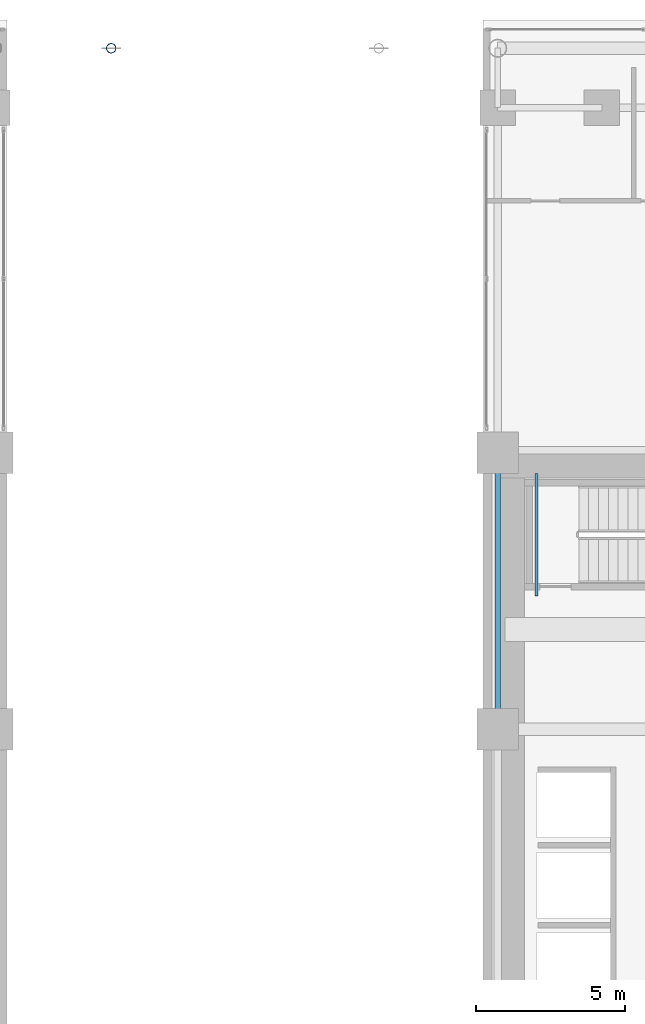
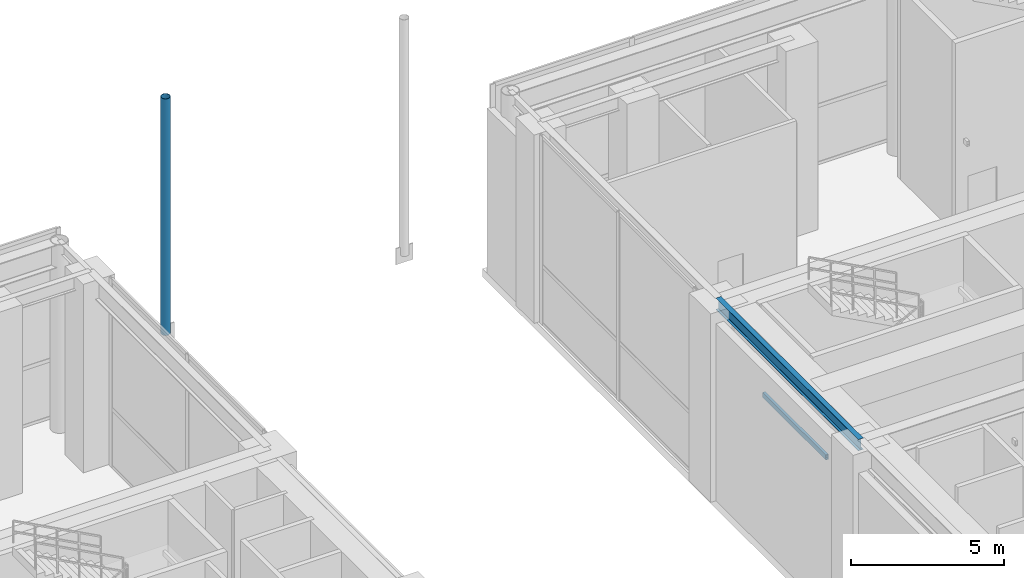
# One storey, part 14 of 29: 2 beams, 1 member.
"""IFC4 building model written with IfcOpenShell, lengths in metres."""

from ifc_helpers import new_model, si_unit, direction, frame, origin, origin_2d, place, context, subcontext, project, spatial, hollow_rectangle, hollow_circle, i_section, extrude, source, transform, mapped, material, material_profile, profile_set, type_object, element, save


model = new_model("IFC4")

# Units and contexts
model_context = context("Model", 3, precision=1e-05, world=origin(), true_north=direction((0.0, 1.0)))
body_context = subcontext(model_context, "Body", "Model", "MODEL_VIEW")
ifc_project = project(units=[si_unit("LENGTHUNIT", "METRE"), si_unit("AREAUNIT", "SQUARE_METRE"), si_unit("VOLUMEUNIT", "CUBIC_METRE"), si_unit("PLANEANGLEUNIT", "RADIAN"), si_unit("MASSUNIT", "GRAM", prefix="KILO")], contexts=[model_context])

# Site, building, storey
site_placement = place(None, origin())
site = spatial("IfcSite", under=ifc_project, at=site_placement, CompositionType="ELEMENT")
building_placement = place(site_placement, origin())
building = spatial("IfcBuilding", under=site, at=building_placement, Name="Ocotamira Hotel", CompositionType="ELEMENT")
storey_placement = place(building_placement, frame((0.0, 0.0, 11.39990234375)))
storey = spatial("IfcBuildingStorey", under=building, at=storey_placement, Name="L03", CompositionType="ELEMENT", Elevation=11.39990234375)

# Beams
ifc_material_1 = material(Name="Steel ASTM A500 Grade C", Category="steel")
ifc_material_profile_1 = material_profile(ifc_material_1, hollow_rectangle(XDim=0.10009765625, YDim=0.199951171875, WallThickness=0.008056640625, at=origin_2d()), Name="HSS200X100X8")
ifc_profile_set_1 = profile_set([ifc_material_profile_1], Name="Steel ASTM A500 Grade C")
beam_type_1 = type_object("IfcBeamType", Name="BM-STLDG-HSS200", PredefinedType="BEAM", material=ifc_profile_set_1)
shared_shape_1 = source(origin(), body_context, "Body", "SweptSolid", [
    extrude(hollow_rectangle(XDim=0.10009765625, YDim=0.199951171875, WallThickness=0.008056640625, at=origin_2d()), origin(), (0.0, 0.0, 1.0), 4.1201171875),
])
beam_1_placement = place(storey_placement, frame((41.81005859375, 32.6298828125, 3.60009765625), z_axis=(0.0, 1.0, 0.0), x_axis=(-1.0, 0.0, 0.0)))
element("IfcBeam", 1, at=beam_1_placement, inside=storey, type_object=beam_type_1, Name="L03 Stair ST-4 Landing Bearer 2", PredefinedType="BEAM", context=body_context, shape_type="MappedRepresentation", body=[
    mapped(shared_shape_1, transform((0.0, 0.0, 0.0), scale=1.0)),
])
ifc_material_2 = material(Name="Steel ASTM A992 Grade 50", Category="steel")
ifc_material_profile_2 = material_profile(ifc_material_2, i_section(OverallWidth=0.18994140625, OverallDepth=0.45703125, WebThickness=0.009033203125, FlangeThickness=0.014404296875, FilletRadius=0.010009765625, at=origin_2d()), Name="W18X50")
ifc_profile_set_2 = profile_set([ifc_material_profile_2], Name="Steel ASTM A992 Grade 50")
beam_type_2 = type_object("IfcBeamType", Name="BM-SEC-W18X50", PredefinedType="JOIST", material=ifc_profile_set_2)
shared_shape_2 = source(origin(), body_context, "Body", "SweptSolid", [
    extrude(i_section(OverallWidth=0.18994140625, OverallDepth=0.45703125, WebThickness=0.009033203125, FlangeThickness=0.014404296875, FilletRadius=0.010009765625, at=origin_2d()), origin(), (0.0, 0.0, 1.0), 9.300048828125),
])
beam_2_placement = place(storey_placement, frame((40.5, 28.14990234375, 7.281494140625), z_axis=(0.0, 1.0, 0.0), x_axis=(-1.0, 0.0, 0.0)))
element("IfcBeam", 2, at=beam_2_placement, inside=storey, type_object=beam_type_2, Name="L03 Beam X40.5 Y28.15-37.45", PredefinedType="JOIST", context=body_context, shape_type="MappedRepresentation", body=[
    mapped(shared_shape_2, transform((0.0, 0.0, 0.0), scale=1.0)),
])

# Member
ifc_material_profile_3 = material_profile(ifc_material_1, hollow_circle(Radius=0.162109375, WallThickness=0.011962890625, at=origin_2d()), Name="CHS324X12")
ifc_profile_set_3 = profile_set([ifc_material_profile_3], Name="Steel ASTM A500 Grade C")
member_type = type_object("IfcMemberType", Name="MEM-STRUT-CHS324", PredefinedType="STRUT", material=ifc_profile_set_3)
shared_shape_3 = source(origin(), body_context, "Body", "SweptSolid", [
    extrude(hollow_circle(Radius=0.162109375, WallThickness=0.011962890625, at=origin_2d()), origin(), (0.0, 0.0, 1.0), 9.429931640625),
])
member_placement = place(storey_placement, frame((27.5, 51.050048828125, 2.400146484375), z_axis=(0.0, 0.0, 1.0), x_axis=(1.0, 0.0, 0.0)))
element("IfcMember", 3, at=member_placement, inside=storey, type_object=member_type, Name="Portal Arch Spandrel Strut N1", PredefinedType="STRUT", context=body_context, shape_type="MappedRepresentation", body=[
    mapped(shared_shape_3, transform((0.0, 0.0, 0.0), scale=1.0)),
])

save(model, "model.ifc")
